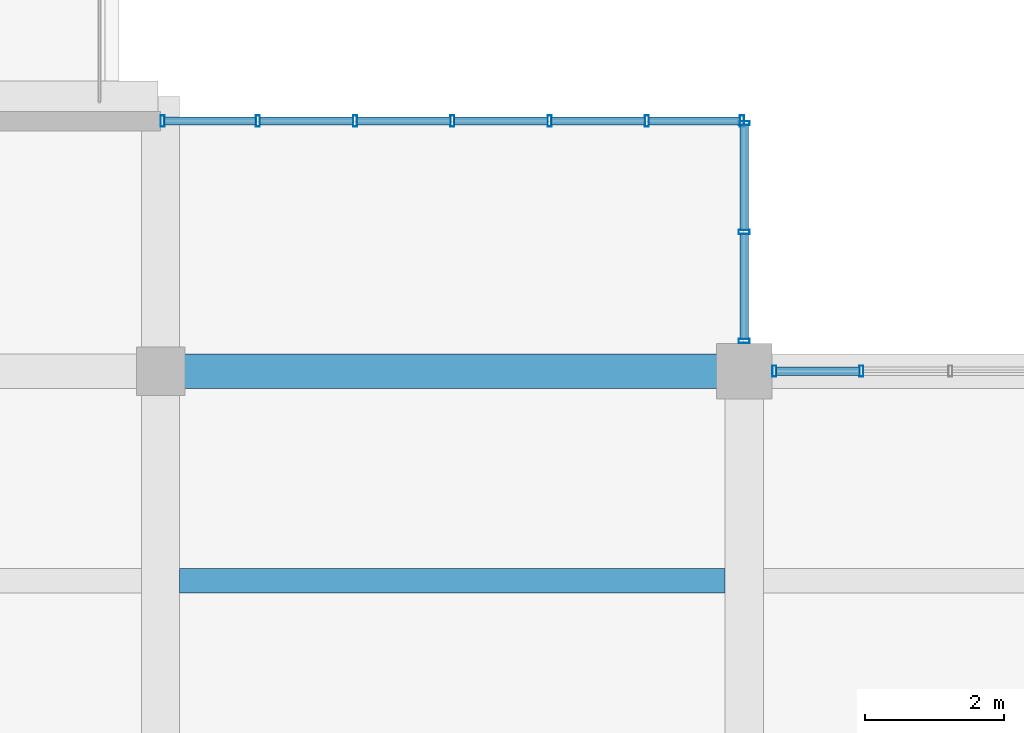
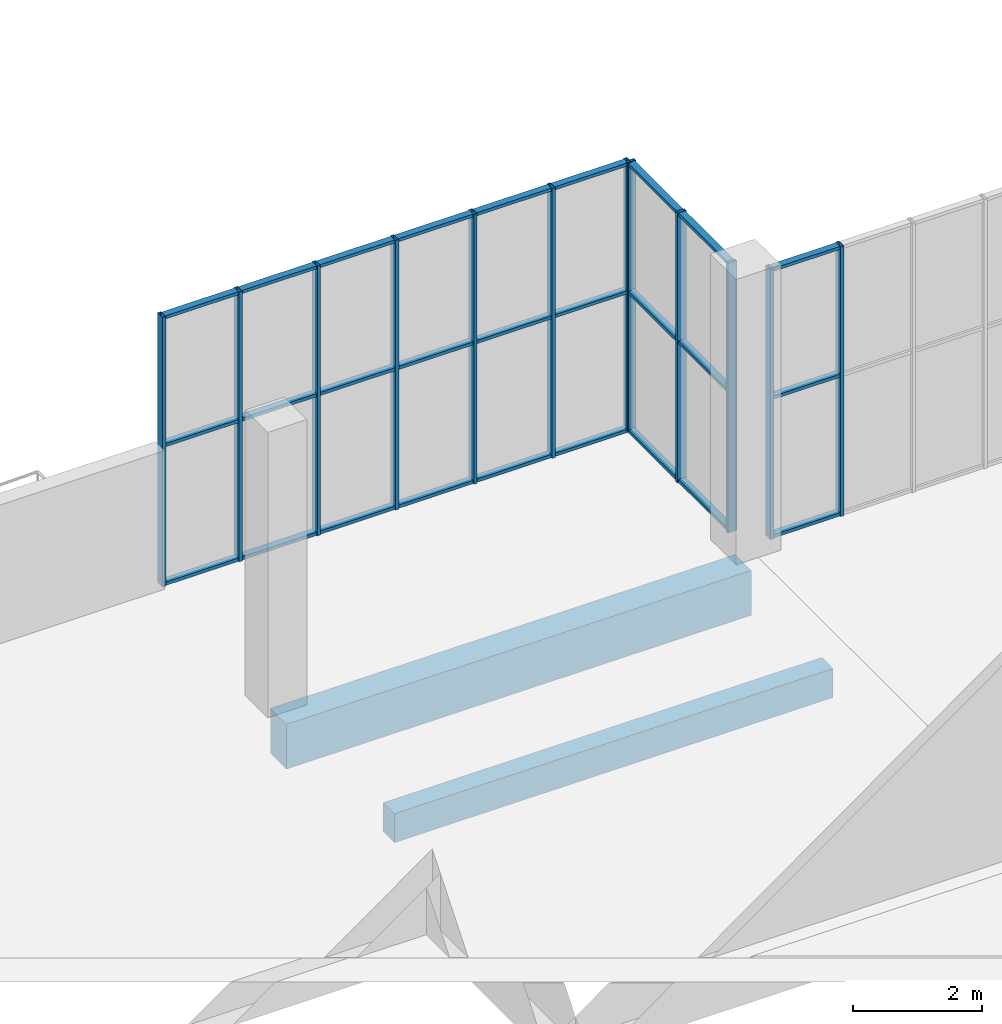
# One storey, part 38 of 132: 39 members, 2 beams, 3 elements without a shape of their own.
"""IFC4 building model written with IfcOpenShell, lengths in metres."""

import ifcopenshell
import ifcopenshell.guid

model = None  # the IFC model being written
_history = None  # IfcOwnerHistory: only IFC2X3 demands one
_inside = {}  # id of a spatial element -> (the spatial element, [elements in it])
_under = {}  # id of a project, library or spatial element -> (it, [spatial elements below it])
_declared = {}  # id of a project -> (the project, [libraries it declares])
_typed = {}  # id of a type object -> (the type object, [elements of that type])
_made_of = {}  # id of a material, layer set ... -> (it, [elements and type objects made of it])


def new_model(schema):
    """Start an empty IFC model of exactly this schema.

    Asked for "IFC4X3", IfcOpenShell would pick the latest addendum, in which some entities
    have other attributes; the version numbers below select the first issue.
    IFC2X3 requires an IfcOwnerHistory on every rooted entity: one is made here for all.
    """
    global model, _history
    if schema == "IFC4X3":
        model = ifcopenshell.file(schema_version=(4, 3, 0, 0))
    else:
        model = ifcopenshell.file(schema=schema)
    _inside.clear()
    _under.clear()
    _declared.clear()
    _typed.clear()
    _made_of.clear()
    _history = None
    if model.schema == "IFC2X3":
        org = make("IfcOrganization", Name="unknown")
        user = make(
            "IfcPersonAndOrganization",
            ThePerson=make("IfcPerson", FamilyName="unknown"),
            TheOrganization=org,
        )
        app = make(
            "IfcApplication",
            ApplicationDeveloper=org,
            Version="unknown",
            ApplicationFullName="unknown",
            ApplicationIdentifier="unknown",
        )
        _history = make(
            "IfcOwnerHistory",
            OwningUser=user,
            OwningApplication=app,
            ChangeAction="ADDED",
            CreationDate=0,
        )
    return model


def make(cls, **values):
    """One entity of the class cls with the attributes given. An attribute that is None is left unset."""
    return model.create_entity(
        cls, **{name: value for name, value in values.items() if value is not None}
    )


def rooted(cls, **values):
    """An entity with a GlobalId (a new one), such as an element, a storey or a relation."""
    return make(cls, GlobalId=ifcopenshell.guid.new(), OwnerHistory=_history, **values)


def si_unit(unit_type, name, prefix=None):
    """IfcSIUnit, for example si_unit("LENGTHUNIT", "METRE", prefix="MILLI")."""
    return make("IfcSIUnit", UnitType=unit_type, Prefix=prefix, Name=name)


def assignment(units):
    """IfcUnitAssignment: the units of a project."""
    return None if units is None else make("IfcUnitAssignment", Units=units)


def point(xyz):
    """IfcCartesianPoint."""
    return None if xyz is None else make("IfcCartesianPoint", Coordinates=xyz)


def direction(xyz):
    """IfcDirection."""
    return None if xyz is None else make("IfcDirection", DirectionRatios=xyz)


def frame(location, z_axis=None, x_axis=None):
    """IfcAxis2Placement3D, a coordinate frame: its origin and axes. An axis left out is left unset."""
    return make(
        "IfcAxis2Placement3D",
        Location=point(location),
        Axis=direction(z_axis),
        RefDirection=direction(x_axis),
    )


def frame_2d(location, x_axis=None):
    """IfcAxis2Placement2D, a coordinate frame in the plane: its origin and x axis."""
    return make(
        "IfcAxis2Placement2D", Location=point(location), RefDirection=direction(x_axis)
    )


def origin():
    """The frame at (0, 0, 0) with its axes left unset."""
    return frame((0.0, 0.0, 0.0))


def origin_2d():
    """The frame at (0, 0) in the plane with its x axis left unset."""
    return frame_2d((0.0, 0.0))


def place(relative_to, where):
    """IfcLocalPlacement: puts the frame where relative to a parent placement (None: the world)."""
    return make(
        "IfcLocalPlacement", PlacementRelTo=relative_to, RelativePlacement=where
    )


def context(
    kind, dimensions, precision=None, world=None, true_north=None, identifier=None
):
    """IfcGeometricRepresentationContext, for example the 3D "Model" context."""
    return make(
        "IfcGeometricRepresentationContext",
        ContextIdentifier=identifier,
        ContextType=kind,
        CoordinateSpaceDimension=dimensions,
        Precision=precision,
        WorldCoordinateSystem=world,
        TrueNorth=true_north,
    )


def subcontext(parent, identifier, kind, view, scale=None):
    """IfcGeometricRepresentationSubContext, for example "Body" below "Model"."""
    return make(
        "IfcGeometricRepresentationSubContext",
        ContextIdentifier=identifier,
        ContextType=kind,
        ParentContext=parent,
        TargetScale=scale,
        TargetView=view,
    )


def project(units=None, contexts=None):
    """IfcProject with its units and contexts."""
    return rooted(
        "IfcProject",
        Name="project",
        RepresentationContexts=contexts,
        UnitsInContext=assignment(units),
    )


def spatial(cls, under=None, at=None, **own):
    """A site, building, storey or space (cls), placed at a placement, below another one or the project."""
    s = rooted(cls, ObjectPlacement=at, **own)
    if under is not None:
        _under.setdefault(under.id(), (under, []))[1].append(s)
    return s


def profile(cls, at=None, kind="AREA", **sizes):
    """A parametric profile (cls). Its sizes go by their IFC names, for example OverallWidth=200.0."""
    return make(cls, ProfileType=kind, Position=at, **sizes)


def rectangle(**sizes):
    """IfcRectangleProfileDef."""
    return profile("IfcRectangleProfileDef", **sizes)


def hollow_rectangle(**sizes):
    """IfcRectangleHollowProfileDef."""
    return profile("IfcRectangleHollowProfileDef", **sizes)


def extrude(swept, where, along, depth):
    """IfcExtrudedAreaSolid: the profile swept, set in the frame where, extruded along a direction by depth."""
    return make(
        "IfcExtrudedAreaSolid",
        SweptArea=swept,
        Position=where,
        ExtrudedDirection=direction(along),
        Depth=depth,
    )


def shape(context_of_items, identifier, shape_type, items):
    """IfcShapeRepresentation: the items that make up one representation, for example the "Body"."""
    return make(
        "IfcShapeRepresentation",
        ContextOfItems=context_of_items,
        RepresentationIdentifier=identifier,
        RepresentationType=shape_type,
        Items=items,
    )


def material(Name=None, Category=None):
    """IfcMaterial."""
    return make("IfcMaterial", Name=Name, Category=Category)


def material_profile(
    of_material, cross_section, Name=None, Category=None, Priority=None
):
    """IfcMaterialProfile: a cross section and its material."""
    return make(
        "IfcMaterialProfile",
        Name=Name,
        Material=of_material,
        Profile=cross_section,
        Priority=Priority,
        Category=Category,
    )


def profile_set(profiles, Name=None, composite=None):
    """IfcMaterialProfileSet."""
    return make(
        "IfcMaterialProfileSet",
        Name=Name,
        MaterialProfiles=profiles,
        CompositeProfile=composite,
    )


def made_of(thing, what):
    """Note that an element or type object is made of a material, layer set ...; save() writes the relation."""
    if what is not None:
        _made_of.setdefault(what.id(), (what, []))[1].append(thing)
    return thing


def type_object(cls, material=None, **own):
    """A type object (cls), such as IfcWallType, which elements share."""
    return made_of(rooted(cls, **own), material)


def element(
    cls,
    number,
    at=None,
    inside=None,
    cuts=None,
    type_object=None,
    material=None,
    context=None,
    identifier="Body",
    shape_type=None,
    held_by="IfcProductDefinitionShape",
    body=None,
    shapes=None,
    **own,
):
    """One element of the class cls, such as IfcWall. Its Tag is "e" and its number.

    at: its placement. inside: the storey or other place that contains it. cuts: it is an
    opening in that element (IfcRelVoidsElement). A single representation is given by context,
    identifier, shape_type and body (its items); several are given by shapes. held_by: the class
    of the entity that holds the representations. save() writes the other relations.
    """
    e = rooted(cls, Tag="e%d" % number, ObjectPlacement=at, **own)
    if body is not None:
        shapes = [shape(context, identifier, shape_type, body)]
    if shapes is not None:
        e.Representation = make(held_by, Representations=shapes)
    if inside is not None:
        _inside.setdefault(inside.id(), (inside, []))[1].append(e)
    if cuts is not None:
        rooted(
            "IfcRelVoidsElement", RelatingBuildingElement=cuts, RelatedOpeningElement=e
        )
    if type_object is not None:
        _typed.setdefault(type_object.id(), (type_object, []))[1].append(e)
    return made_of(e, material)


def aggregate(whole, parts):
    """IfcRelAggregates: a whole, such as a stair, and the parts it consists of."""
    return rooted("IfcRelAggregates", RelatingObject=whole, RelatedObjects=parts)


def save(model, path):
    """Write the relations noted so far, then the file.

    IfcRelAggregates (storeys below a building ...), IfcRelContainedInSpatialStructure (elements
    in a storey), IfcRelDefinesByType, IfcRelAssociatesMaterial and IfcRelDeclares: one each for
    every whole, place, type object, material and project.
    """
    for whole, parts in _under.values():
        aggregate(whole, parts)
    for where, things in _inside.values():
        rooted(
            "IfcRelContainedInSpatialStructure",
            RelatedElements=things,
            RelatingStructure=where,
        )
    for kind, things in _typed.values():
        rooted("IfcRelDefinesByType", RelatedObjects=things, RelatingType=kind)
    for what, things in _made_of.values():
        rooted("IfcRelAssociatesMaterial", RelatedObjects=things, RelatingMaterial=what)
    for by, libraries in _declared.values():
        rooted("IfcRelDeclares", RelatingContext=by, RelatedDefinitions=libraries)
    model.write(path)


model = new_model("IFC4")

# Units and contexts
model_context = context("Model", 3, precision=1e-05, world=origin(), true_north=direction((0.0, 1.0)))
body_context = subcontext(model_context, "Body", "Model", "MODEL_VIEW")
ifc_project = project(units=[si_unit("LENGTHUNIT", "METRE"), si_unit("AREAUNIT", "SQUARE_METRE"), si_unit("VOLUMEUNIT", "CUBIC_METRE"), si_unit("PLANEANGLEUNIT", "RADIAN"), si_unit("MASSUNIT", "GRAM", prefix="KILO")], contexts=[model_context])

# Site, building, storey
site_placement = place(None, origin())
site = spatial("IfcSite", under=ifc_project, at=site_placement, CompositionType="ELEMENT")
building_placement = place(site_placement, origin())
building = spatial("IfcBuilding", under=site, at=building_placement, Name="Khurvash Pelagic Aquarium", CompositionType="ELEMENT")
storey_placement = place(building_placement, frame((0.0, 0.0, 5.39990234375)))
storey = spatial("IfcBuildingStorey", under=building, at=storey_placement, Name="L01", CompositionType="ELEMENT", Elevation=5.39990234375)

# Beam
ifc_material_1 = material(Name="Concrete C40/50", Category="concrete")
ifc_material_profile_1 = material_profile(ifc_material_1, rectangle(XDim=0.5, YDim=0.85009765625, at=origin_2d()), Name="RC500X850")
ifc_profile_set_1 = profile_set([ifc_material_profile_1], Name="Concrete C40/50")
beam_type_1 = type_object("IfcBeamType", Name="BM-03", PredefinedType="BEAM", material=ifc_profile_set_1)
beam_1_placement = place(storey_placement, frame((100.840087890625, 29.75, -0.744873046875), z_axis=(1.0, 0.0, 0.0), x_axis=(0.0, 1.0, 0.0)))
element("IfcBeam", 1, at=beam_1_placement, inside=storey, type_object=beam_type_1, Name="L01 Primary Girder BM-03 00286", PredefinedType="BEAM", context=body_context, shape_type="SweptSolid", body=[
    extrude(rectangle(XDim=0.5, YDim=0.85009765625, at=origin_2d()), origin(), (0.0, 0.0, 1.0), 8.31982421875),
])

# Curtain wall, members
ifc_material_2 = material(Name="Anodised aluminium and low-E laminated glass", Category="aluminium")
curtain_wall_type_1 = type_object("IfcCurtainWallType", Name="CW-05", PredefinedType="USERDEFINED", material=ifc_material_2)
curtain_wall_1_placement = place(storey_placement, origin())
curtain_wall_1 = element("IfcCurtainWall", 2, at=curtain_wall_1_placement, inside=storey, type_object=curtain_wall_type_1, Name="L01 Facade Unitised Curtain Wall CW-05 0145", ObjectType="UNITISED CURTAIN WALL", PredefinedType="USERDEFINED")
ifc_material_3 = material(Name="Extruded aluminium AW-6063-T6", Category="aluminium")
ifc_material_profile_2 = material_profile(ifc_material_3, hollow_rectangle(XDim=0.06005859375, YDim=0.159912109375, WallThickness=0.00390625, at=origin_2d()), Name="CWM60X160X4")
ifc_profile_set_2 = profile_set([ifc_material_profile_2], Name="Extruded aluminium AW-6063-T6")
member_type_1 = type_object("IfcMemberType", Name="CM-02", PredefinedType="MULLION", material=ifc_profile_set_2)
member_1_placement = place(storey_placement, frame((110.88671875, 29.75, 0.0), z_axis=(0.0, 0.0, 1.0), x_axis=(-1.0, 0.0, 0.0)))
member_1 = element("IfcMember", 3, at=member_1_placement, type_object=member_type_1, Name="CW-05 mullion 6", PredefinedType="MULLION", context=body_context, shape_type="SweptSolid", body=[
    extrude(hollow_rectangle(XDim=0.06005859375, YDim=0.159912109375, WallThickness=0.00390625, at=origin_2d()), origin(), (0.0, 0.0, 1.0), 5.10009765625),
])
member_2_placement = place(storey_placement, frame((109.635009765625, 29.75, 0.0), z_axis=(0.0, 0.0, 1.0), x_axis=(-1.0, 0.0, 0.0)))
member_2 = element("IfcMember", 4, at=member_2_placement, type_object=member_type_1, Name="CW-05 mullion 7", PredefinedType="MULLION", context=body_context, shape_type="SweptSolid", body=[
    extrude(hollow_rectangle(XDim=0.06005859375, YDim=0.159912109375, WallThickness=0.00390625, at=origin_2d()), origin(), (0.0, 0.0, 1.0), 5.10009765625),
])

curtain_wall_type_2 = type_object("IfcCurtainWallType", Name="CW-06", PredefinedType="USERDEFINED", material=ifc_material_2)
curtain_wall_2_placement = place(storey_placement, origin())
curtain_wall_2 = element("IfcCurtainWall", 5, at=curtain_wall_2_placement, inside=storey, type_object=curtain_wall_type_2, Name="L01 Facade Unitised Curtain Wall CW-06 0146", ObjectType="UNITISED CURTAIN WALL", PredefinedType="USERDEFINED")
member_3_placement = place(storey_placement, frame((109.199951171875, 30.18505859375, 0.0), z_axis=(0.0, 0.0, 1.0), x_axis=(0.0, 1.0, 0.0)))
member_3 = element("IfcMember", 6, at=member_3_placement, type_object=member_type_1, Name="CW-06 mullion 1", PredefinedType="MULLION", context=body_context, shape_type="SweptSolid", body=[
    extrude(hollow_rectangle(XDim=0.06005859375, YDim=0.159912109375, WallThickness=0.00390625, at=origin_2d()), origin(), (0.0, 0.0, 1.0), 5.10009765625),
])
member_4_placement = place(storey_placement, frame((109.199951171875, 31.75244140625, 0.0), z_axis=(0.0, 0.0, 1.0), x_axis=(0.0, 1.0, 0.0)))
member_4 = element("IfcMember", 7, at=member_4_placement, type_object=member_type_1, Name="CW-06 mullion 2", PredefinedType="MULLION", context=body_context, shape_type="SweptSolid", body=[
    extrude(hollow_rectangle(XDim=0.06005859375, YDim=0.159912109375, WallThickness=0.00390625, at=origin_2d()), origin(), (0.0, 0.0, 1.0), 5.10009765625),
])
member_5_placement = place(storey_placement, frame((109.199951171875, 33.320068359375, 0.0), z_axis=(0.0, 0.0, 1.0), x_axis=(0.0, 1.0, 0.0)))
member_5 = element("IfcMember", 8, at=member_5_placement, type_object=member_type_1, Name="CW-06 mullion 3", PredefinedType="MULLION", context=body_context, shape_type="SweptSolid", body=[
    extrude(hollow_rectangle(XDim=0.06005859375, YDim=0.159912109375, WallThickness=0.00390625, at=origin_2d()), origin(), (0.0, 0.0, 1.0), 5.10009765625),
])

curtain_wall_3_placement = place(storey_placement, origin())
curtain_wall_3 = element("IfcCurtainWall", 9, at=curtain_wall_3_placement, inside=storey, type_object=curtain_wall_type_1, Name="L01 Facade Unitised Curtain Wall CW-05 0147", ObjectType="UNITISED CURTAIN WALL", PredefinedType="USERDEFINED")
member_6_placement = place(storey_placement, frame((109.169921875, 33.35009765625, 0.0), z_axis=(0.0, 0.0, 1.0), x_axis=(-1.0, 0.0, 0.0)))
member_6 = element("IfcMember", 10, at=member_6_placement, type_object=member_type_1, Name="CW-05 mullion 1", PredefinedType="MULLION", context=body_context, shape_type="SweptSolid", body=[
    extrude(hollow_rectangle(XDim=0.06005859375, YDim=0.159912109375, WallThickness=0.00390625, at=origin_2d()), origin(), (0.0, 0.0, 1.0), 5.10009765625),
])
member_7_placement = place(storey_placement, frame((107.800048828125, 33.35009765625, 0.0), z_axis=(0.0, 0.0, 1.0), x_axis=(-1.0, 0.0, 0.0)))
member_7 = element("IfcMember", 11, at=member_7_placement, type_object=member_type_1, Name="CW-05 mullion 2", PredefinedType="MULLION", context=body_context, shape_type="SweptSolid", body=[
    extrude(hollow_rectangle(XDim=0.06005859375, YDim=0.159912109375, WallThickness=0.00390625, at=origin_2d()), origin(), (0.0, 0.0, 1.0), 5.10009765625),
])
member_8_placement = place(storey_placement, frame((106.39990234375, 33.35009765625, 0.0), z_axis=(0.0, 0.0, 1.0), x_axis=(-1.0, 0.0, 0.0)))
member_8 = element("IfcMember", 12, at=member_8_placement, type_object=member_type_1, Name="CW-05 mullion 3", PredefinedType="MULLION", context=body_context, shape_type="SweptSolid", body=[
    extrude(hollow_rectangle(XDim=0.06005859375, YDim=0.159912109375, WallThickness=0.00390625, at=origin_2d()), origin(), (0.0, 0.0, 1.0), 5.10009765625),
])
member_9_placement = place(storey_placement, frame((105.0, 33.35009765625, 0.0), z_axis=(0.0, 0.0, 1.0), x_axis=(-1.0, 0.0, 0.0)))
member_9 = element("IfcMember", 13, at=member_9_placement, type_object=member_type_1, Name="CW-05 mullion 4", PredefinedType="MULLION", context=body_context, shape_type="SweptSolid", body=[
    extrude(hollow_rectangle(XDim=0.06005859375, YDim=0.159912109375, WallThickness=0.00390625, at=origin_2d()), origin(), (0.0, 0.0, 1.0), 5.10009765625),
])
member_10_placement = place(storey_placement, frame((103.60009765625, 33.35009765625, 0.0), z_axis=(0.0, 0.0, 1.0), x_axis=(-1.0, 0.0, 0.0)))
member_10 = element("IfcMember", 14, at=member_10_placement, type_object=member_type_1, Name="CW-05 mullion 5", PredefinedType="MULLION", context=body_context, shape_type="SweptSolid", body=[
    extrude(hollow_rectangle(XDim=0.06005859375, YDim=0.159912109375, WallThickness=0.00390625, at=origin_2d()), origin(), (0.0, 0.0, 1.0), 5.10009765625),
])
member_11_placement = place(storey_placement, frame((102.199951171875, 33.35009765625, 0.0), z_axis=(0.0, 0.0, 1.0), x_axis=(-1.0, 0.0, 0.0)))
member_11 = element("IfcMember", 15, at=member_11_placement, type_object=member_type_1, Name="CW-05 mullion 6", PredefinedType="MULLION", context=body_context, shape_type="SweptSolid", body=[
    extrude(hollow_rectangle(XDim=0.06005859375, YDim=0.159912109375, WallThickness=0.00390625, at=origin_2d()), origin(), (0.0, 0.0, 1.0), 5.10009765625),
])
member_12_placement = place(storey_placement, frame((100.830078125, 33.35009765625, 0.0), z_axis=(0.0, 0.0, 1.0), x_axis=(-1.0, 0.0, 0.0)))
member_12 = element("IfcMember", 16, at=member_12_placement, type_object=member_type_1, Name="CW-05 mullion 7", PredefinedType="MULLION", context=body_context, shape_type="SweptSolid", body=[
    extrude(hollow_rectangle(XDim=0.06005859375, YDim=0.159912109375, WallThickness=0.00390625, at=origin_2d()), origin(), (0.0, 0.0, 1.0), 5.10009765625),
])

# Member
ifc_material_profile_3 = material_profile(ifc_material_3, hollow_rectangle(XDim=0.1201171875, YDim=0.06005859375, WallThickness=0.00390625, at=origin_2d()), Name="CWT120X60X4")
ifc_profile_set_3 = profile_set([ifc_material_profile_3], Name="Extruded aluminium AW-6063-T6")
member_type_2 = type_object("IfcMemberType", Name="CT-02", PredefinedType="USERDEFINED", material=ifc_profile_set_3)
member_13_placement = place(storey_placement, frame((110.856689453125, 29.75, 0.030029296875), z_axis=(-1.0, 0.0, 0.0), x_axis=(0.0, -1.0, 0.0)))
member_13 = element("IfcMember", 17, at=member_13_placement, type_object=member_type_2, Name="CW-05 transom 6.1", ObjectType="TRANSOM", PredefinedType="USERDEFINED", context=body_context, shape_type="SweptSolid", body=[
    extrude(hollow_rectangle(XDim=0.1201171875, YDim=0.06005859375, WallThickness=0.00390625, at=origin_2d()), origin(), (0.0, 0.0, 1.0), 1.191650390625),
])

member_14_placement = place(storey_placement, frame((110.856689453125, 29.75, 2.652099609375), z_axis=(-1.0, 0.0, 0.0), x_axis=(0.0, -1.0, 0.0)))
member_14 = element("IfcMember", 18, at=member_14_placement, type_object=member_type_2, Name="CW-05 transom 6.2", ObjectType="TRANSOM", PredefinedType="USERDEFINED", context=body_context, shape_type="SweptSolid", body=[
    extrude(hollow_rectangle(XDim=0.1201171875, YDim=0.06005859375, WallThickness=0.00390625, at=origin_2d()), origin(), (0.0, 0.0, 1.0), 1.191650390625),
])

member_15_placement = place(storey_placement, frame((110.856689453125, 29.75, 5.070068359375), z_axis=(-1.0, 0.0, 0.0), x_axis=(0.0, -1.0, 0.0)))
member_15 = element("IfcMember", 19, at=member_15_placement, type_object=member_type_2, Name="CW-05 transom 6.3", ObjectType="TRANSOM", PredefinedType="USERDEFINED", context=body_context, shape_type="SweptSolid", body=[
    extrude(hollow_rectangle(XDim=0.1201171875, YDim=0.06005859375, WallThickness=0.00390625, at=origin_2d()), origin(), (0.0, 0.0, 1.0), 1.191650390625),
])

aggregate(curtain_wall_1, [member_1, member_2, member_13, member_14, member_15])

member_16_placement = place(storey_placement, frame((109.199951171875, 30.215087890625, 0.030029296875), z_axis=(0.0, 1.0, 0.0), x_axis=(-1.0, 0.0, 0.0)))
member_16 = element("IfcMember", 20, at=member_16_placement, type_object=member_type_2, Name="CW-06 transom 1.1", ObjectType="TRANSOM", PredefinedType="USERDEFINED", context=body_context, shape_type="SweptSolid", body=[
    extrude(hollow_rectangle(XDim=0.1201171875, YDim=0.06005859375, WallThickness=0.00390625, at=origin_2d()), origin(), (0.0, 0.0, 1.0), 1.50732421875),
])

member_17_placement = place(storey_placement, frame((109.199951171875, 30.215087890625, 2.652099609375), z_axis=(0.0, 1.0, 0.0), x_axis=(-1.0, 0.0, 0.0)))
member_17 = element("IfcMember", 21, at=member_17_placement, type_object=member_type_2, Name="CW-06 transom 1.2", ObjectType="TRANSOM", PredefinedType="USERDEFINED", context=body_context, shape_type="SweptSolid", body=[
    extrude(hollow_rectangle(XDim=0.1201171875, YDim=0.06005859375, WallThickness=0.00390625, at=origin_2d()), origin(), (0.0, 0.0, 1.0), 1.50732421875),
])

member_18_placement = place(storey_placement, frame((109.199951171875, 30.215087890625, 5.070068359375), z_axis=(0.0, 1.0, 0.0), x_axis=(-1.0, 0.0, 0.0)))
member_18 = element("IfcMember", 22, at=member_18_placement, type_object=member_type_2, Name="CW-06 transom 1.3", ObjectType="TRANSOM", PredefinedType="USERDEFINED", context=body_context, shape_type="SweptSolid", body=[
    extrude(hollow_rectangle(XDim=0.1201171875, YDim=0.06005859375, WallThickness=0.00390625, at=origin_2d()), origin(), (0.0, 0.0, 1.0), 1.50732421875),
])

member_19_placement = place(storey_placement, frame((109.199951171875, 31.782470703125, 0.030029296875), z_axis=(0.0, 1.0, 0.0), x_axis=(-1.0, 0.0, 0.0)))
member_19 = element("IfcMember", 23, at=member_19_placement, type_object=member_type_2, Name="CW-06 transom 2.1", ObjectType="TRANSOM", PredefinedType="USERDEFINED", context=body_context, shape_type="SweptSolid", body=[
    extrude(hollow_rectangle(XDim=0.1201171875, YDim=0.06005859375, WallThickness=0.00390625, at=origin_2d()), origin(), (0.0, 0.0, 1.0), 1.507568359375),
])

member_20_placement = place(storey_placement, frame((109.199951171875, 31.782470703125, 2.652099609375), z_axis=(0.0, 1.0, 0.0), x_axis=(-1.0, 0.0, 0.0)))
member_20 = element("IfcMember", 24, at=member_20_placement, type_object=member_type_2, Name="CW-06 transom 2.2", ObjectType="TRANSOM", PredefinedType="USERDEFINED", context=body_context, shape_type="SweptSolid", body=[
    extrude(hollow_rectangle(XDim=0.1201171875, YDim=0.06005859375, WallThickness=0.00390625, at=origin_2d()), origin(), (0.0, 0.0, 1.0), 1.507568359375),
])

member_21_placement = place(storey_placement, frame((109.199951171875, 31.782470703125, 5.070068359375), z_axis=(0.0, 1.0, 0.0), x_axis=(-1.0, 0.0, 0.0)))
member_21 = element("IfcMember", 25, at=member_21_placement, type_object=member_type_2, Name="CW-06 transom 2.3", ObjectType="TRANSOM", PredefinedType="USERDEFINED", context=body_context, shape_type="SweptSolid", body=[
    extrude(hollow_rectangle(XDim=0.1201171875, YDim=0.06005859375, WallThickness=0.00390625, at=origin_2d()), origin(), (0.0, 0.0, 1.0), 1.507568359375),
])

aggregate(curtain_wall_2, [member_3, member_4, member_5, member_16, member_17, member_18, member_19, member_20, member_21])

member_22_placement = place(storey_placement, frame((109.139892578125, 33.35009765625, 0.030029296875), z_axis=(-1.0, 0.0, 0.0), x_axis=(0.0, -1.0, 0.0)))
member_22 = element("IfcMember", 26, at=member_22_placement, type_object=member_type_2, Name="CW-05 transom 1.1", ObjectType="TRANSOM", PredefinedType="USERDEFINED", context=body_context, shape_type="SweptSolid", body=[
    extrude(hollow_rectangle(XDim=0.1201171875, YDim=0.06005859375, WallThickness=0.00390625, at=origin_2d()), origin(), (0.0, 0.0, 1.0), 1.309814453125),
])

member_23_placement = place(storey_placement, frame((109.139892578125, 33.35009765625, 2.652099609375), z_axis=(-1.0, 0.0, 0.0), x_axis=(0.0, -1.0, 0.0)))
member_23 = element("IfcMember", 27, at=member_23_placement, type_object=member_type_2, Name="CW-05 transom 1.2", ObjectType="TRANSOM", PredefinedType="USERDEFINED", context=body_context, shape_type="SweptSolid", body=[
    extrude(hollow_rectangle(XDim=0.1201171875, YDim=0.06005859375, WallThickness=0.00390625, at=origin_2d()), origin(), (0.0, 0.0, 1.0), 1.309814453125),
])

member_24_placement = place(storey_placement, frame((109.139892578125, 33.35009765625, 5.070068359375), z_axis=(-1.0, 0.0, 0.0), x_axis=(0.0, -1.0, 0.0)))
member_24 = element("IfcMember", 28, at=member_24_placement, type_object=member_type_2, Name="CW-05 transom 1.3", ObjectType="TRANSOM", PredefinedType="USERDEFINED", context=body_context, shape_type="SweptSolid", body=[
    extrude(hollow_rectangle(XDim=0.1201171875, YDim=0.06005859375, WallThickness=0.00390625, at=origin_2d()), origin(), (0.0, 0.0, 1.0), 1.309814453125),
])

member_25_placement = place(storey_placement, frame((107.77001953125, 33.35009765625, 0.030029296875), z_axis=(-1.0, 0.0, 0.0), x_axis=(0.0, -1.0, 0.0)))
member_25 = element("IfcMember", 29, at=member_25_placement, type_object=member_type_2, Name="CW-05 transom 2.1", ObjectType="TRANSOM", PredefinedType="USERDEFINED", context=body_context, shape_type="SweptSolid", body=[
    extrude(hollow_rectangle(XDim=0.1201171875, YDim=0.06005859375, WallThickness=0.00390625, at=origin_2d()), origin(), (0.0, 0.0, 1.0), 1.340087890625),
])

member_26_placement = place(storey_placement, frame((107.77001953125, 33.35009765625, 2.652099609375), z_axis=(-1.0, 0.0, 0.0), x_axis=(0.0, -1.0, 0.0)))
member_26 = element("IfcMember", 30, at=member_26_placement, type_object=member_type_2, Name="CW-05 transom 2.2", ObjectType="TRANSOM", PredefinedType="USERDEFINED", context=body_context, shape_type="SweptSolid", body=[
    extrude(hollow_rectangle(XDim=0.1201171875, YDim=0.06005859375, WallThickness=0.00390625, at=origin_2d()), origin(), (0.0, 0.0, 1.0), 1.340087890625),
])

member_27_placement = place(storey_placement, frame((107.77001953125, 33.35009765625, 5.070068359375), z_axis=(-1.0, 0.0, 0.0), x_axis=(0.0, -1.0, 0.0)))
member_27 = element("IfcMember", 31, at=member_27_placement, type_object=member_type_2, Name="CW-05 transom 2.3", ObjectType="TRANSOM", PredefinedType="USERDEFINED", context=body_context, shape_type="SweptSolid", body=[
    extrude(hollow_rectangle(XDim=0.1201171875, YDim=0.06005859375, WallThickness=0.00390625, at=origin_2d()), origin(), (0.0, 0.0, 1.0), 1.340087890625),
])

member_28_placement = place(storey_placement, frame((106.3701171875, 33.35009765625, 0.030029296875), z_axis=(-1.0, 0.0, 0.0), x_axis=(0.0, -1.0, 0.0)))
member_28 = element("IfcMember", 32, at=member_28_placement, type_object=member_type_2, Name="CW-05 transom 3.1", ObjectType="TRANSOM", PredefinedType="USERDEFINED", context=body_context, shape_type="SweptSolid", body=[
    extrude(hollow_rectangle(XDim=0.1201171875, YDim=0.06005859375, WallThickness=0.00390625, at=origin_2d()), origin(), (0.0, 0.0, 1.0), 1.340087890625),
])

member_29_placement = place(storey_placement, frame((106.3701171875, 33.35009765625, 2.652099609375), z_axis=(-1.0, 0.0, 0.0), x_axis=(0.0, -1.0, 0.0)))
member_29 = element("IfcMember", 33, at=member_29_placement, type_object=member_type_2, Name="CW-05 transom 3.2", ObjectType="TRANSOM", PredefinedType="USERDEFINED", context=body_context, shape_type="SweptSolid", body=[
    extrude(hollow_rectangle(XDim=0.1201171875, YDim=0.06005859375, WallThickness=0.00390625, at=origin_2d()), origin(), (0.0, 0.0, 1.0), 1.340087890625),
])

member_30_placement = place(storey_placement, frame((106.3701171875, 33.35009765625, 5.070068359375), z_axis=(-1.0, 0.0, 0.0), x_axis=(0.0, -1.0, 0.0)))
member_30 = element("IfcMember", 34, at=member_30_placement, type_object=member_type_2, Name="CW-05 transom 3.3", ObjectType="TRANSOM", PredefinedType="USERDEFINED", context=body_context, shape_type="SweptSolid", body=[
    extrude(hollow_rectangle(XDim=0.1201171875, YDim=0.06005859375, WallThickness=0.00390625, at=origin_2d()), origin(), (0.0, 0.0, 1.0), 1.340087890625),
])

member_31_placement = place(storey_placement, frame((104.969970703125, 33.35009765625, 0.030029296875), z_axis=(-1.0, 0.0, 0.0), x_axis=(0.0, -1.0, 0.0)))
member_31 = element("IfcMember", 35, at=member_31_placement, type_object=member_type_2, Name="CW-05 transom 4.1", ObjectType="TRANSOM", PredefinedType="USERDEFINED", context=body_context, shape_type="SweptSolid", body=[
    extrude(hollow_rectangle(XDim=0.1201171875, YDim=0.06005859375, WallThickness=0.00390625, at=origin_2d()), origin(), (0.0, 0.0, 1.0), 1.340087890625),
])

member_32_placement = place(storey_placement, frame((104.969970703125, 33.35009765625, 2.652099609375), z_axis=(-1.0, 0.0, 0.0), x_axis=(0.0, -1.0, 0.0)))
member_32 = element("IfcMember", 36, at=member_32_placement, type_object=member_type_2, Name="CW-05 transom 4.2", ObjectType="TRANSOM", PredefinedType="USERDEFINED", context=body_context, shape_type="SweptSolid", body=[
    extrude(hollow_rectangle(XDim=0.1201171875, YDim=0.06005859375, WallThickness=0.00390625, at=origin_2d()), origin(), (0.0, 0.0, 1.0), 1.340087890625),
])

member_33_placement = place(storey_placement, frame((104.969970703125, 33.35009765625, 5.070068359375), z_axis=(-1.0, 0.0, 0.0), x_axis=(0.0, -1.0, 0.0)))
member_33 = element("IfcMember", 37, at=member_33_placement, type_object=member_type_2, Name="CW-05 transom 4.3", ObjectType="TRANSOM", PredefinedType="USERDEFINED", context=body_context, shape_type="SweptSolid", body=[
    extrude(hollow_rectangle(XDim=0.1201171875, YDim=0.06005859375, WallThickness=0.00390625, at=origin_2d()), origin(), (0.0, 0.0, 1.0), 1.340087890625),
])

member_34_placement = place(storey_placement, frame((103.570068359375, 33.35009765625, 0.030029296875), z_axis=(-1.0, 0.0, 0.0), x_axis=(0.0, -1.0, 0.0)))
member_34 = element("IfcMember", 38, at=member_34_placement, type_object=member_type_2, Name="CW-05 transom 5.1", ObjectType="TRANSOM", PredefinedType="USERDEFINED", context=body_context, shape_type="SweptSolid", body=[
    extrude(hollow_rectangle(XDim=0.1201171875, YDim=0.06005859375, WallThickness=0.00390625, at=origin_2d()), origin(), (0.0, 0.0, 1.0), 1.340087890625),
])

member_35_placement = place(storey_placement, frame((103.570068359375, 33.35009765625, 2.652099609375), z_axis=(-1.0, 0.0, 0.0), x_axis=(0.0, -1.0, 0.0)))
member_35 = element("IfcMember", 39, at=member_35_placement, type_object=member_type_2, Name="CW-05 transom 5.2", ObjectType="TRANSOM", PredefinedType="USERDEFINED", context=body_context, shape_type="SweptSolid", body=[
    extrude(hollow_rectangle(XDim=0.1201171875, YDim=0.06005859375, WallThickness=0.00390625, at=origin_2d()), origin(), (0.0, 0.0, 1.0), 1.340087890625),
])

member_36_placement = place(storey_placement, frame((103.570068359375, 33.35009765625, 5.070068359375), z_axis=(-1.0, 0.0, 0.0), x_axis=(0.0, -1.0, 0.0)))
member_36 = element("IfcMember", 40, at=member_36_placement, type_object=member_type_2, Name="CW-05 transom 5.3", ObjectType="TRANSOM", PredefinedType="USERDEFINED", context=body_context, shape_type="SweptSolid", body=[
    extrude(hollow_rectangle(XDim=0.1201171875, YDim=0.06005859375, WallThickness=0.00390625, at=origin_2d()), origin(), (0.0, 0.0, 1.0), 1.340087890625),
])

member_37_placement = place(storey_placement, frame((102.169921875, 33.35009765625, 0.030029296875), z_axis=(-1.0, 0.0, 0.0), x_axis=(0.0, -1.0, 0.0)))
member_37 = element("IfcMember", 41, at=member_37_placement, type_object=member_type_2, Name="CW-05 transom 6.1", ObjectType="TRANSOM", PredefinedType="USERDEFINED", context=body_context, shape_type="SweptSolid", body=[
    extrude(hollow_rectangle(XDim=0.1201171875, YDim=0.06005859375, WallThickness=0.00390625, at=origin_2d()), origin(), (0.0, 0.0, 1.0), 1.309814453125),
])

member_38_placement = place(storey_placement, frame((102.169921875, 33.35009765625, 2.652099609375), z_axis=(-1.0, 0.0, 0.0), x_axis=(0.0, -1.0, 0.0)))
member_38 = element("IfcMember", 42, at=member_38_placement, type_object=member_type_2, Name="CW-05 transom 6.2", ObjectType="TRANSOM", PredefinedType="USERDEFINED", context=body_context, shape_type="SweptSolid", body=[
    extrude(hollow_rectangle(XDim=0.1201171875, YDim=0.06005859375, WallThickness=0.00390625, at=origin_2d()), origin(), (0.0, 0.0, 1.0), 1.309814453125),
])

member_39_placement = place(storey_placement, frame((102.169921875, 33.35009765625, 5.070068359375), z_axis=(-1.0, 0.0, 0.0), x_axis=(0.0, -1.0, 0.0)))
member_39 = element("IfcMember", 43, at=member_39_placement, type_object=member_type_2, Name="CW-05 transom 6.3", ObjectType="TRANSOM", PredefinedType="USERDEFINED", context=body_context, shape_type="SweptSolid", body=[
    extrude(hollow_rectangle(XDim=0.1201171875, YDim=0.06005859375, WallThickness=0.00390625, at=origin_2d()), origin(), (0.0, 0.0, 1.0), 1.309814453125),
])

aggregate(curtain_wall_3, [member_6, member_7, member_8, member_9, member_10, member_11, member_12, member_22, member_23, member_24, member_25, member_26, member_27, member_28, member_29, member_30, member_31, member_32, member_33, member_34, member_35, member_36, member_37, member_38, member_39])

# Beam
ifc_material_4 = material(Name="Concrete C35/45", Category="concrete")
ifc_material_profile_4 = material_profile(ifc_material_4, rectangle(XDim=0.35009765625, YDim=0.550048828125, at=origin_2d()), Name="RC350X550")
ifc_profile_set_4 = profile_set([ifc_material_profile_4], Name="Concrete C35/45")
beam_type_2 = type_object("IfcBeamType", Name="JS-01", PredefinedType="JOIST", material=ifc_profile_set_4)
beam_2_placement = place(storey_placement, frame((101.074951171875, 26.73291015625, -0.5849609375), z_axis=(1.0, 0.0, 0.0), x_axis=(0.0, 1.0, 0.0)))
element("IfcBeam", 44, at=beam_2_placement, inside=storey, type_object=beam_type_2, Name="L01 Floor Joist JS-01 00545", PredefinedType="JOIST", context=body_context, shape_type="SweptSolid", body=[
    extrude(rectangle(XDim=0.35009765625, YDim=0.550048828125, at=origin_2d()), origin(), (0.0, 0.0, 1.0), 7.85009765625),
])

save(model, "model.ifc")
